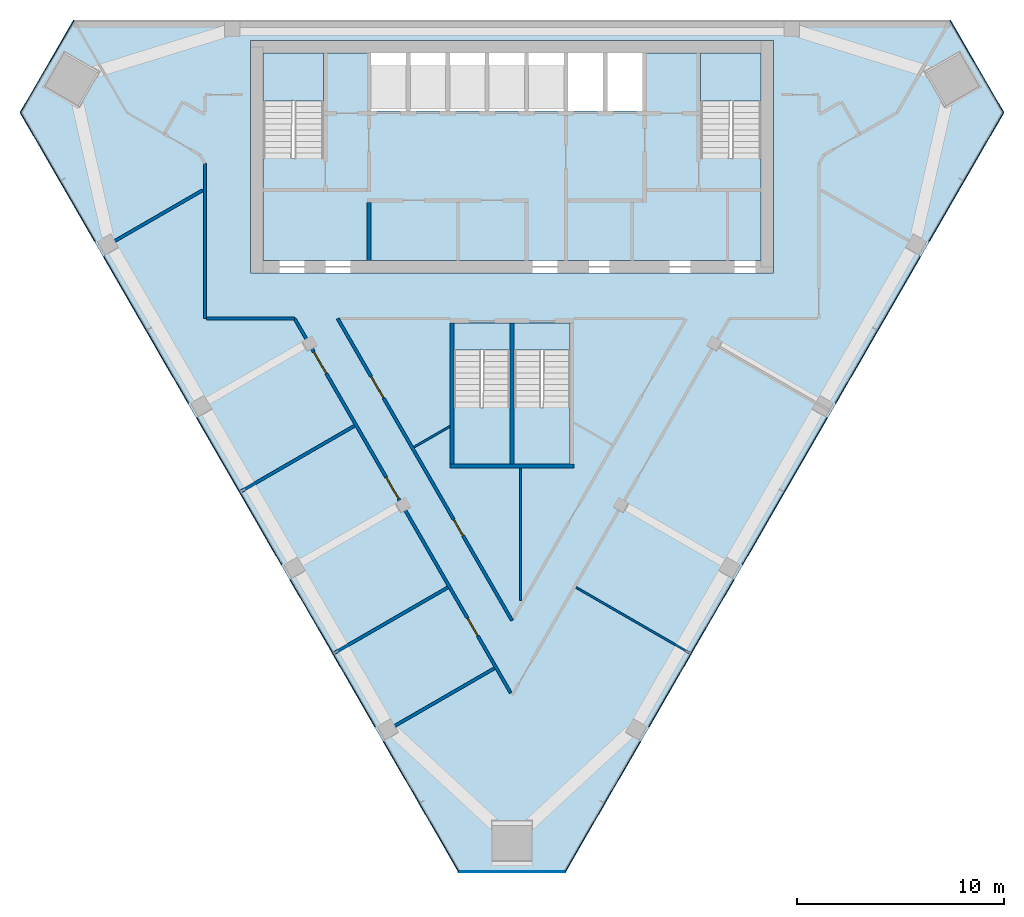
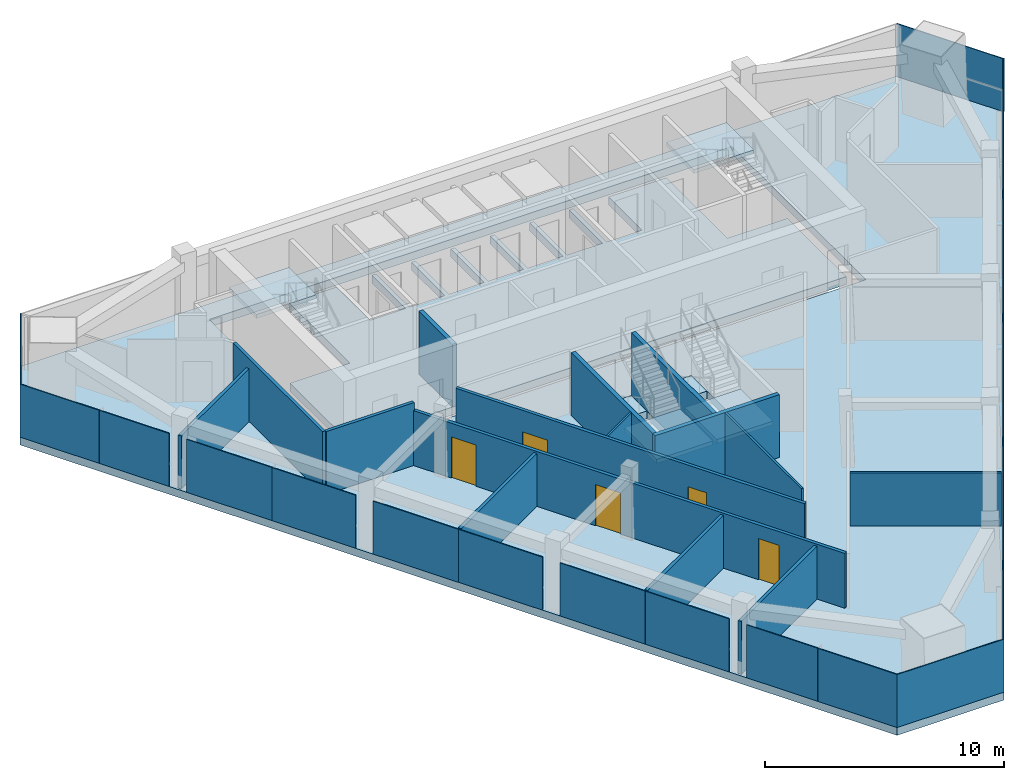
# One storey, part 7 of 12: 23 plates, 15 walls, 8 slabs, 5 doors, 5 openings, 9 elements without a shape of their own.
"""IFC4 building model written with IfcOpenShell, lengths in metres."""

from ifc_helpers import new_model, si_unit, direction, frame, frame_2d, origin, origin_2d, place, context, subcontext, project, spatial, polyline, rectangle, outline, extrude, material, layer, layer_set, type_object, element, fill, aggregate, save


model = new_model("IFC4")

# Units and contexts
model_context = context("Model", 3, precision=1e-05, world=origin(), true_north=direction((0.0, 1.0)))
body_context = subcontext(model_context, "Body", "Model", "MODEL_VIEW")
ifc_project = project(units=[si_unit("LENGTHUNIT", "METRE"), si_unit("AREAUNIT", "SQUARE_METRE"), si_unit("VOLUMEUNIT", "CUBIC_METRE"), si_unit("PLANEANGLEUNIT", "RADIAN"), si_unit("MASSUNIT", "GRAM", prefix="KILO")], contexts=[model_context])

# Site, building, storey
site_placement = place(None, origin())
site = spatial("IfcSite", under=ifc_project, at=site_placement, CompositionType="ELEMENT")
building_placement = place(site_placement, origin())
building = spatial("IfcBuilding", under=site, at=building_placement, Name="Altiplano Prism Tower", CompositionType="ELEMENT")
storey_placement = place(building_placement, frame((0.0, 0.0, 253.60009765625)))
storey = spatial("IfcBuildingStorey", under=building, at=storey_placement, Name="L65", CompositionType="ELEMENT", Elevation=253.60009765625)

# Curtain wall, plate
ifc_material_1 = material(Name="Aluminium and glass", Category="aluminium")
ifc_layer_1 = layer(ifc_material_1, 0.303955078125)
ifc_layer_set_1 = layer_set([ifc_layer_1], Name="Aluminium and glass")
curtain_wall_type = type_object("IfcCurtainWallType", Name="CW2 lounge-band unitised glazing", PredefinedType="NOTDEFINED", material=ifc_layer_set_1)
curtain_wall_1_placement = place(storey_placement, origin())
curtain_wall_1 = element("IfcCurtainWall", 1, at=curtain_wall_1_placement, inside=storey, type_object=curtain_wall_type, Name="CW2 curtain wall north-west chamfer L65", PredefinedType="NOTDEFINED")
ifc_material_2 = material(Name="Clear glass", Category="glass")
ifc_layer_2 = layer(ifc_material_2, 0.0439453125)
ifc_layer_set_2 = layer_set([ifc_layer_2], Name="Clear glass")
plate_type = type_object("IfcPlateType", Name="CW2 insulated glass unit 44", PredefinedType="CURTAIN_PANEL", material=ifc_layer_set_2)
plate_1_placement = place(storey_placement, frame((62.582275390625, 102.7568359375, 0.0), z_axis=(0.0, 0.0, 1.0), x_axis=(-0.500000021221, -0.866025391532, 0.0)))
plate_1 = element("IfcPlate", 2, at=plate_1_placement, type_object=plate_type, Name="CW2 panel", PredefinedType="CURTAIN_PANEL", context=body_context, shape_type="SweptSolid", body=[
    extrude(rectangle(XDim=5.145263671875, YDim=0.0439453125, at=origin_2d()), origin(), (0.0, 0.0, 1.0), 2.699951171875),
])
aggregate(curtain_wall_1, [plate_1])

# Curtain wall, plates
curtain_wall_2_placement = place(storey_placement, origin())
curtain_wall_2 = element("IfcCurtainWall", 3, at=curtain_wall_2_placement, inside=storey, type_object=curtain_wall_type, Name="CW2 curtain wall south-west face L65", PredefinedType="NOTDEFINED")
plate_2_placement = place(storey_placement, frame((62.249267578125, 98.890625, 0.0), z_axis=(0.0, 0.0, 1.0), x_axis=(0.500000002252, -0.866025402484, 0.0)))
plate_2 = element("IfcPlate", 4, at=plate_2_placement, type_object=plate_type, Name="CW2 panel", PredefinedType="CURTAIN_PANEL", context=body_context, shape_type="SweptSolid", body=[
    extrude(rectangle(XDim=3.81396484375, YDim=0.0439453125, at=origin_2d()), origin(), (0.0, 0.0, 1.0), 2.699951171875),
])
plate_3_placement = place(storey_placement, frame((64.0478515625, 95.775634765625, 0.0), z_axis=(0.0, 0.0, 1.0), x_axis=(0.500000002252, -0.866025402484, 0.0)))
plate_3 = element("IfcPlate", 5, at=plate_3_placement, type_object=plate_type, Name="CW2 panel", PredefinedType="CURTAIN_PANEL", context=body_context, shape_type="SweptSolid", body=[
    extrude(rectangle(XDim=3.359375, YDim=0.0439453125, at=origin_2d()), origin(), (0.0, 0.0, 1.0), 2.699951171875),
])
plate_4_placement = place(storey_placement, frame((66.33642578125, 91.811767578125, 0.0), z_axis=(0.0, 0.0, 1.0), x_axis=(0.500000002252, -0.866025402484, 0.0)))
plate_4 = element("IfcPlate", 6, at=plate_4_placement, type_object=plate_type, Name="CW2 panel", PredefinedType="CURTAIN_PANEL", context=body_context, shape_type="SweptSolid", body=[
    extrude(rectangle(XDim=4.114501953125, YDim=0.0439453125, at=origin_2d()), origin(), (0.0, 0.0, 1.0), 2.699951171875),
])
plate_5_placement = place(storey_placement, frame((68.37890625, 88.274169921875, 0.0), z_axis=(0.0, 0.0, 1.0), x_axis=(0.500000002252, -0.866025402484, 0.0)))
plate_5 = element("IfcPlate", 7, at=plate_5_placement, type_object=plate_type, Name="CW2 panel", PredefinedType="CURTAIN_PANEL", context=body_context, shape_type="SweptSolid", body=[
    extrude(rectangle(XDim=4.035400390625, YDim=0.0439453125, at=origin_2d()), origin(), (0.0, 0.0, 1.0), 2.699951171875),
])
plate_6_placement = place(storey_placement, frame((70.83642578125, 84.017578125, 0.0), z_axis=(0.0, 0.0, 1.0), x_axis=(0.500000002252, -0.866025402484, 0.0)))
plate_6 = element("IfcPlate", 8, at=plate_6_placement, type_object=plate_type, Name="CW2 panel", PredefinedType="CURTAIN_PANEL", context=body_context, shape_type="SweptSolid", body=[
    extrude(rectangle(XDim=4.114501953125, YDim=0.0439453125, at=origin_2d()), origin(), (0.0, 0.0, 1.0), 2.699951171875),
])
plate_7_placement = place(storey_placement, frame((72.87890625, 80.47998046875, 0.0), z_axis=(0.0, 0.0, 1.0), x_axis=(0.500000002252, -0.866025402484, 0.0)))
plate_7 = element("IfcPlate", 9, at=plate_7_placement, type_object=plate_type, Name="CW2 panel", PredefinedType="CURTAIN_PANEL", context=body_context, shape_type="SweptSolid", body=[
    extrude(rectangle(XDim=4.035400390625, YDim=0.0439453125, at=origin_2d()), origin(), (0.0, 0.0, 1.0), 2.699951171875),
])
plate_8_placement = place(storey_placement, frame((75.33642578125, 76.223388671875, 0.0), z_axis=(0.0, 0.0, 1.0), x_axis=(0.500000002252, -0.866025402484, 0.0)))
plate_8 = element("IfcPlate", 10, at=plate_8_placement, type_object=plate_type, Name="CW2 panel", PredefinedType="CURTAIN_PANEL", context=body_context, shape_type="SweptSolid", body=[
    extrude(rectangle(XDim=4.114501953125, YDim=0.0439453125, at=origin_2d()), origin(), (0.0, 0.0, 1.0), 2.699951171875),
])
plate_9_placement = place(storey_placement, frame((77.37890625, 72.685791015625, 0.0), z_axis=(0.0, 0.0, 1.0), x_axis=(0.500000002252, -0.866025402484, 0.0)))
plate_9 = element("IfcPlate", 11, at=plate_9_placement, type_object=plate_type, Name="CW2 panel", PredefinedType="CURTAIN_PANEL", context=body_context, shape_type="SweptSolid", body=[
    extrude(rectangle(XDim=4.035400390625, YDim=0.0439453125, at=origin_2d()), origin(), (0.0, 0.0, 1.0), 2.699951171875),
])
plate_10_placement = place(storey_placement, frame((79.667236328125, 68.721923828125, 0.0), z_axis=(0.0, 0.0, 1.0), x_axis=(0.500000002252, -0.866025402484, 0.0)))
plate_10 = element("IfcPlate", 12, at=plate_10_placement, type_object=plate_type, Name="CW2 panel", PredefinedType="CURTAIN_PANEL", context=body_context, shape_type="SweptSolid", body=[
    extrude(rectangle(XDim=3.4384765625, YDim=0.0439453125, at=origin_2d()), origin(), (0.0, 0.0, 1.0), 2.699951171875),
])
plate_11_placement = place(storey_placement, frame((81.4853515625, 65.57275390625, 0.0), z_axis=(0.0, 0.0, 1.0), x_axis=(0.500000002252, -0.866025402484, 0.0)))
plate_11 = element("IfcPlate", 13, at=plate_11_placement, type_object=plate_type, Name="CW2 panel", PredefinedType="CURTAIN_PANEL", context=body_context, shape_type="SweptSolid", body=[
    extrude(rectangle(XDim=3.81396484375, YDim=0.0439453125, at=origin_2d()), origin(), (0.0, 0.0, 1.0), 2.699951171875),
])
aggregate(curtain_wall_2, [plate_2, plate_3, plate_4, plate_5, plate_6, plate_7, plate_8, plate_9, plate_10, plate_11])

# Curtain wall, plate
curtain_wall_3_placement = place(storey_placement, origin())
curtain_wall_3 = element("IfcCurtainWall", 14, at=curtain_wall_3_placement, inside=storey, type_object=curtain_wall_type, Name="CW2 curtain wall south chamfer L65", PredefinedType="NOTDEFINED")
plate_12_placement = place(storey_placement, frame((85.0, 63.927978515625, 0.0), z_axis=(0.0, 0.0, 1.0), x_axis=(1.0, 0.0, 0.0)))
plate_12 = element("IfcPlate", 15, at=plate_12_placement, type_object=plate_type, Name="CW2 panel", PredefinedType="CURTAIN_PANEL", context=body_context, shape_type="SweptSolid", body=[
    extrude(rectangle(XDim=5.145263671875, YDim=0.0439453125, at=origin_2d()), origin(), (0.0, 0.0, 1.0), 2.699951171875),
])
aggregate(curtain_wall_3, [plate_12])

# Curtain wall, plates
curtain_wall_4_placement = place(storey_placement, origin())
curtain_wall_4 = element("IfcCurtainWall", 16, at=curtain_wall_4_placement, inside=storey, type_object=curtain_wall_type, Name="CW2 curtain wall south-east face L65", PredefinedType="NOTDEFINED")
plate_13_placement = place(storey_placement, frame((88.5146484375, 65.57275390625, 0.0), z_axis=(0.0, 0.0, 1.0), x_axis=(0.500000002252, 0.866025402484, 0.0)))
plate_13 = element("IfcPlate", 17, at=plate_13_placement, type_object=plate_type, Name="CW2 panel", PredefinedType="CURTAIN_PANEL", context=body_context, shape_type="SweptSolid", body=[
    extrude(rectangle(XDim=3.81396484375, YDim=0.0439453125, at=origin_2d()), origin(), (0.0, 0.0, 1.0), 2.699951171875),
])
plate_14_placement = place(storey_placement, frame((90.332763671875, 68.721923828125, 0.0), z_axis=(0.0, 0.0, 1.0), x_axis=(0.500000002252, 0.866025402484, 0.0)))
plate_14 = element("IfcPlate", 18, at=plate_14_placement, type_object=plate_type, Name="CW2 panel", PredefinedType="CURTAIN_PANEL", context=body_context, shape_type="SweptSolid", body=[
    extrude(rectangle(XDim=3.4384765625, YDim=0.0439453125, at=origin_2d()), origin(), (0.0, 0.0, 1.0), 2.699951171875),
])
plate_15_placement = place(storey_placement, frame((92.62109375, 72.685791015625, 0.0), z_axis=(0.0, 0.0, 1.0), x_axis=(0.500000002252, 0.866025402484, 0.0)))
plate_15 = element("IfcPlate", 19, at=plate_15_placement, type_object=plate_type, Name="CW2 panel", PredefinedType="CURTAIN_PANEL", context=body_context, shape_type="SweptSolid", body=[
    extrude(rectangle(XDim=4.035400390625, YDim=0.0439453125, at=origin_2d()), origin(), (0.0, 0.0, 1.0), 2.699951171875),
])
plate_16_placement = place(storey_placement, frame((94.66357421875, 76.223388671875, 0.0), z_axis=(0.0, 0.0, 1.0), x_axis=(0.500000002252, 0.866025402484, 0.0)))
plate_16 = element("IfcPlate", 20, at=plate_16_placement, type_object=plate_type, Name="CW2 panel", PredefinedType="CURTAIN_PANEL", context=body_context, shape_type="SweptSolid", body=[
    extrude(rectangle(XDim=4.114501953125, YDim=0.0439453125, at=origin_2d()), origin(), (0.0, 0.0, 1.0), 2.699951171875),
])
plate_17_placement = place(storey_placement, frame((97.12109375, 80.47998046875, 0.0), z_axis=(0.0, 0.0, 1.0), x_axis=(0.500000002252, 0.866025402484, 0.0)))
plate_17 = element("IfcPlate", 21, at=plate_17_placement, type_object=plate_type, Name="CW2 panel", PredefinedType="CURTAIN_PANEL", context=body_context, shape_type="SweptSolid", body=[
    extrude(rectangle(XDim=4.035400390625, YDim=0.0439453125, at=origin_2d()), origin(), (0.0, 0.0, 1.0), 2.699951171875),
])
plate_18_placement = place(storey_placement, frame((99.16357421875, 84.017578125, 0.0), z_axis=(0.0, 0.0, 1.0), x_axis=(0.500000002252, 0.866025402484, 0.0)))
plate_18 = element("IfcPlate", 22, at=plate_18_placement, type_object=plate_type, Name="CW2 panel", PredefinedType="CURTAIN_PANEL", context=body_context, shape_type="SweptSolid", body=[
    extrude(rectangle(XDim=4.114501953125, YDim=0.0439453125, at=origin_2d()), origin(), (0.0, 0.0, 1.0), 2.699951171875),
])
plate_19_placement = place(storey_placement, frame((101.62109375, 88.274169921875, 0.0), z_axis=(0.0, 0.0, 1.0), x_axis=(0.500000002252, 0.866025402484, 0.0)))
plate_19 = element("IfcPlate", 23, at=plate_19_placement, type_object=plate_type, Name="CW2 panel", PredefinedType="CURTAIN_PANEL", context=body_context, shape_type="SweptSolid", body=[
    extrude(rectangle(XDim=4.035400390625, YDim=0.0439453125, at=origin_2d()), origin(), (0.0, 0.0, 1.0), 2.699951171875),
])
plate_20_placement = place(storey_placement, frame((103.66357421875, 91.811767578125, 0.0), z_axis=(0.0, 0.0, 1.0), x_axis=(0.500000002252, 0.866025402484, 0.0)))
plate_20 = element("IfcPlate", 24, at=plate_20_placement, type_object=plate_type, Name="CW2 panel", PredefinedType="CURTAIN_PANEL", context=body_context, shape_type="SweptSolid", body=[
    extrude(rectangle(XDim=4.114501953125, YDim=0.0439453125, at=origin_2d()), origin(), (0.0, 0.0, 1.0), 2.699951171875),
])
plate_21_placement = place(storey_placement, frame((105.9521484375, 95.775634765625, 0.0), z_axis=(0.0, 0.0, 1.0), x_axis=(0.500000002252, 0.866025402484, 0.0)))
plate_21 = element("IfcPlate", 25, at=plate_21_placement, type_object=plate_type, Name="CW2 panel", PredefinedType="CURTAIN_PANEL", context=body_context, shape_type="SweptSolid", body=[
    extrude(rectangle(XDim=3.359375, YDim=0.0439453125, at=origin_2d()), origin(), (0.0, 0.0, 1.0), 2.699951171875),
])
plate_22_placement = place(storey_placement, frame((107.750732421875, 98.890625, 0.0), z_axis=(0.0, 0.0, 1.0), x_axis=(0.500000002252, 0.866025402484, 0.0)))
plate_22 = element("IfcPlate", 26, at=plate_22_placement, type_object=plate_type, Name="CW2 panel", PredefinedType="CURTAIN_PANEL", context=body_context, shape_type="SweptSolid", body=[
    extrude(rectangle(XDim=3.81396484375, YDim=0.0439453125, at=origin_2d()), origin(), (0.0, 0.0, 1.0), 2.699951171875),
])
aggregate(curtain_wall_4, [plate_13, plate_14, plate_15, plate_16, plate_17, plate_18, plate_19, plate_20, plate_21, plate_22])

# Curtain wall, plate
curtain_wall_5_placement = place(storey_placement, origin())
curtain_wall_5 = element("IfcCurtainWall", 27, at=curtain_wall_5_placement, inside=storey, type_object=curtain_wall_type, Name="CW2 curtain wall north-east chamfer L65", PredefinedType="NOTDEFINED")
plate_23_placement = place(storey_placement, frame((107.417724609375, 102.7568359375, 0.0), z_axis=(0.0, 0.0, 1.0), x_axis=(-0.500000021221, 0.866025391532, 0.0)))
plate_23 = element("IfcPlate", 28, at=plate_23_placement, type_object=plate_type, Name="CW2 panel", PredefinedType="CURTAIN_PANEL", context=body_context, shape_type="SweptSolid", body=[
    extrude(rectangle(XDim=5.145263671875, YDim=0.0439453125, at=origin_2d()), origin(), (0.0, 0.0, 1.0), 2.699951171875),
])
aggregate(curtain_wall_5, [plate_23])

# Slabs
ifc_material_3 = material(Name="Concrete C40/50", Category="concrete")
ifc_layer_3 = layer(ifc_material_3, 0.39990234375)
ifc_layer_set_3 = layer_set([ifc_layer_3], Name="Concrete C40/50")
slab_type_1 = type_object("IfcSlabType", Name="Core floor slab 400", PredefinedType="FLOOR", material=ifc_layer_set_3)
slab_1_placement = place(storey_placement, frame((0.0, 0.0, -0.400146484375)))
element("IfcSlab", 29, at=slab_1_placement, inside=storey, type_object=slab_type_1, Name="Core floor slab L65", PredefinedType="FLOOR", context=body_context, shape_type="SweptSolid", body=[
    extrude(outline(polyline([(97.0, 98.31005859375), (94.10009765625, 98.31005859375), (94.10009765625, 103.39990234375), (91.300048828125, 103.39990234375), (91.300048828125, 100.60009765625), (89.60009765625, 100.60009765625), (89.60009765625, 103.39990234375), (89.39990234375, 103.39990234375), (89.39990234375, 100.60009765625), (87.699951171875, 100.60009765625), (87.699951171875, 103.39990234375), (87.5, 103.39990234375), (87.5, 100.60009765625), (85.800048828125, 100.60009765625), (85.800048828125, 103.39990234375), (85.60009765625, 103.39990234375), (85.60009765625, 100.60009765625), (83.89990234375, 100.60009765625), (83.89990234375, 103.39990234375), (83.699951171875, 103.39990234375), (83.699951171875, 100.60009765625), (82.0, 100.60009765625), (82.0, 103.39990234375), (81.800048828125, 103.39990234375), (81.800048828125, 100.60009765625), (80.10009765625, 100.60009765625), (80.10009765625, 103.39990234375), (79.89990234375, 103.39990234375), (79.89990234375, 100.60009765625), (78.199951171875, 100.60009765625), (78.199951171875, 103.39990234375), (75.89990234375, 103.39990234375), (75.89990234375, 98.31005859375), (73.0, 98.31005859375), (73.0, 93.39990234375), (97.0, 93.39990234375), (97.0, 98.31005859375)])), origin(), (0.0, 0.0, 1.0), 0.400146484375),
])
slab_2_placement = place(storey_placement, frame((0.0, 0.0, -0.400146484375)))
element("IfcSlab", 30, at=slab_2_placement, inside=storey, type_object=slab_type_1, Name="Stair 3A landing slab L65", PredefinedType="FLOOR", context=body_context, shape_type="SweptSolid", body=[
    extrude(outline(polyline([(82.199951171875, 89.096923828125), (84.89990234375, 89.096923828125), (84.89990234375, 90.39990234375), (82.199951171875, 90.39990234375), (82.199951171875, 89.096923828125)])), origin(), (0.0, 0.0, 1.0), 0.400146484375),
])
slab_3_placement = place(storey_placement, frame((0.0, 0.0, -0.400146484375)))
element("IfcSlab", 31, at=slab_3_placement, inside=storey, type_object=slab_type_1, Name="Stair 3B landing slab L65", PredefinedType="FLOOR", context=body_context, shape_type="SweptSolid", body=[
    extrude(outline(polyline([(85.10009765625, 89.096923828125), (87.800048828125, 89.096923828125), (87.800048828125, 90.39990234375), (85.10009765625, 90.39990234375), (85.10009765625, 89.096923828125)])), origin(), (0.0, 0.0, 1.0), 0.400146484375),
])
ifc_layer_4 = layer(ifc_material_3, 0.39990234375)
ifc_layer_set_4 = layer_set([ifc_layer_4], Name="Concrete C40/50")
slab_type_2 = type_object("IfcSlabType", Name="Post-tensioned flat slab 400", PredefinedType="FLOOR", material=ifc_layer_set_4)
slab_4_placement = place(storey_placement, frame((0.0, 0.0, -0.400146484375)))
element("IfcSlab", 32, at=slab_4_placement, inside=storey, type_object=slab_type_2, Name="Floor slab L65", PredefinedType="FLOOR", context=body_context, shape_type="SweptSolid", body=[
    extrude(outline(polyline([(82.42236328125, 63.906005859375), (61.2744140625, 100.535400390625), (63.851806640625, 105.0), (106.148193359375, 105.0), (108.7255859375, 100.535400390625), (87.57763671875, 63.906005859375), (82.42236328125, 63.906005859375)]), holes=[polyline([(72.39990234375, 104.0), (72.39990234375, 92.800048828125), (97.60009765625, 92.800048828125), (97.60009765625, 104.0), (72.39990234375, 104.0)]), polyline([(84.89990234375, 90.39990234375), (82.199951171875, 90.39990234375), (82.199951171875, 83.60009765625), (84.89990234375, 83.60009765625), (84.89990234375, 90.39990234375)]), polyline([(87.800048828125, 83.60009765625), (87.800048828125, 90.39990234375), (85.10009765625, 90.39990234375), (85.10009765625, 83.60009765625), (87.800048828125, 83.60009765625)])]), origin(), (0.0, 0.0, 1.0), 0.400146484375),
])

# Stair, slab
stair_type_1 = type_object("IfcStairType", Name="Exit stair 1400", PredefinedType="HALF_TURN_STAIR", material=ifc_material_3)
stair_1_placement = place(storey_placement, origin())
stair_1 = element("IfcStair", 33, at=stair_1_placement, inside=storey, type_object=stair_type_1, Name="L65 Exit Stair 1", PredefinedType="HALF_TURN_STAIR")
ifc_layer_5 = layer(ifc_material_3, 0.199951171875)
ifc_layer_set_5 = layer_set([ifc_layer_5], Name="Concrete C40/50")
slab_type_3 = type_object("IfcSlabType", Name="Stair landing 200", PredefinedType="LANDING", material=ifc_layer_set_5)
slab_5_placement = place(storey_placement, frame((0.0, 0.0, 1.599853515625)))
slab_5 = element("IfcSlab", 34, at=slab_5_placement, type_object=slab_type_3, Name="ST1 landing 1", PredefinedType="LANDING", context=body_context, shape_type="SweptSolid", body=[
    extrude(outline(polyline([(75.89990234375, 101.096923828125), (75.89990234375, 103.39990234375), (73.0, 103.39990234375), (73.0, 101.096923828125), (75.89990234375, 101.096923828125)])), origin(), (0.0, 0.0, 1.0), 0.199951171875),
])
aggregate(stair_1, [slab_5])

stair_2_placement = place(storey_placement, origin())
stair_2 = element("IfcStair", 35, at=stair_2_placement, inside=storey, type_object=stair_type_1, Name="L65 Exit Stair 2", PredefinedType="HALF_TURN_STAIR")
slab_6_placement = place(storey_placement, frame((0.0, 0.0, 1.599853515625)))
slab_6 = element("IfcSlab", 36, at=slab_6_placement, type_object=slab_type_3, Name="ST2 landing 1", PredefinedType="LANDING", context=body_context, shape_type="SweptSolid", body=[
    extrude(outline(polyline([(97.0, 101.096923828125), (97.0, 103.39990234375), (94.10009765625, 103.39990234375), (94.10009765625, 101.096923828125), (97.0, 101.096923828125)])), origin(), (0.0, 0.0, 1.0), 0.199951171875),
])
aggregate(stair_2, [slab_6])

stair_type_2 = type_object("IfcStairType", Name="Exit stair 1300", PredefinedType="HALF_TURN_STAIR", material=ifc_material_3)
stair_3_placement = place(storey_placement, origin())
stair_3 = element("IfcStair", 37, at=stair_3_placement, inside=storey, type_object=stair_type_2, Name="L65 Exit Stair 3A", PredefinedType="HALF_TURN_STAIR")
slab_7_placement = place(storey_placement, frame((0.0, 0.0, 1.599853515625)))
slab_7 = element("IfcSlab", 38, at=slab_7_placement, type_object=slab_type_3, Name="ST3A landing 1", PredefinedType="LANDING", context=body_context, shape_type="SweptSolid", body=[
    extrude(outline(polyline([(82.199951171875, 86.302978515625), (82.199951171875, 83.60009765625), (84.89990234375, 83.60009765625), (84.89990234375, 86.302978515625), (82.199951171875, 86.302978515625)])), origin(), (0.0, 0.0, 1.0), 0.199951171875),
])
aggregate(stair_3, [slab_7])

stair_4_placement = place(storey_placement, origin())
stair_4 = element("IfcStair", 39, at=stair_4_placement, inside=storey, type_object=stair_type_2, Name="L65 Exit Stair 3B", PredefinedType="HALF_TURN_STAIR")
slab_8_placement = place(storey_placement, frame((0.0, 0.0, 1.599853515625)))
slab_8 = element("IfcSlab", 40, at=slab_8_placement, type_object=slab_type_3, Name="ST3B landing 1", PredefinedType="LANDING", context=body_context, shape_type="SweptSolid", body=[
    extrude(outline(polyline([(85.10009765625, 86.302978515625), (85.10009765625, 83.60009765625), (87.800048828125, 83.60009765625), (87.800048828125, 86.302978515625), (85.10009765625, 86.302978515625)])), origin(), (0.0, 0.0, 1.0), 0.199951171875),
])
aggregate(stair_4, [slab_8])

# Walls
ifc_material_4 = material(Name="Plasterboard on steel stud", Category="steel")
ifc_layer_6 = layer(ifc_material_4, 0.10009765625)
ifc_layer_set_6 = layer_set([ifc_layer_6], Name="Plasterboard on steel stud")
wall_type_1 = type_object("IfcWallType", Name="Partition 100 wet", PredefinedType="PARTITIONING", material=ifc_layer_set_6)
wall_1_placement = place(storey_placement, frame((85.41845703125, 83.39990234375, 0.0), z_axis=(0.0, 0.0, 1.0), x_axis=(0.0, -1.0, 0.0)))
element("IfcWall", 41, at=wall_1_placement, inside=storey, type_object=wall_type_1, Name="Partition P03 L65 023", PredefinedType="PARTITIONING", context=body_context, shape_type="SweptSolid", body=[
    extrude(rectangle(XDim=6.39697265625, YDim=0.10009765625, at=frame_2d((3.198486328125, 0.0))), origin(), (0.0, 0.0, 1.0), 3.199951171875),
])
wall_2_placement = place(storey_placement, frame((82.0, 85.39990234375, 0.0), z_axis=(0.0, 0.0, 1.0), x_axis=(-0.865995076291, -0.500052525081, 0.0)))
element("IfcWall", 42, at=wall_2_placement, inside=storey, type_object=wall_type_1, Name="Partition P03 L65 025", PredefinedType="PARTITIONING", context=body_context, shape_type="SweptSolid", body=[
    extrude(rectangle(XDim=2.006103515625, YDim=0.10009765625, at=frame_2d((1.0029296875, 0.0))), origin(), (0.0, 0.0, 1.0), 3.199951171875),
])
wall_3_placement = place(storey_placement, frame((93.56494140625, 74.4765625, 0.0), z_axis=(0.0, 0.0, 1.0), x_axis=(-0.866032601554, 0.49998753289, 0.0)))
element("IfcWall", 43, at=wall_3_placement, inside=storey, type_object=wall_type_1, Name="Partition P03 L65 032", PredefinedType="PARTITIONING", context=body_context, shape_type="SweptSolid", body=[
    extrude(rectangle(XDim=6.324951171875, YDim=0.10009765625, at=frame_2d((3.16259765625, 0.0))), origin(), (0.0, 0.0, 1.0), 2.699951171875),
])

# Wall, openings, doors
ifc_layer_7 = layer(ifc_material_4, 0.14990234375)
ifc_layer_set_7 = layer_set([ifc_layer_7], Name="Plasterboard on steel stud")
wall_type_2 = type_object("IfcWallType", Name="Partition 150 corridor", PredefinedType="PARTITIONING", material=ifc_layer_set_7)
wall_4_placement = place(storey_placement, frame((85.0, 76.04150390625, 0.0), z_axis=(0.0, 0.0, 1.0), x_axis=(-0.500004887791, 0.866022581799, 0.0)))
wall_4 = element("IfcWall", 44, at=wall_4_placement, inside=storey, type_object=wall_type_2, Name="Partition P06 L65 002", PredefinedType="PARTITIONING", context=body_context, shape_type="SweptSolid", body=[
    extrude(rectangle(XDim=16.810791015625, YDim=0.14990234375, at=frame_2d((8.4052734375, 0.0))), origin(), (0.0, 0.0, 1.0), 3.199951171875),
])
opening_1_placement = place(wall_4_placement, frame((4.721923828125, 0.0, 0.0)))
opening_1 = element("IfcOpeningElement", 45, at=opening_1_placement, cuts=wall_4, Name="Opening D2112", PredefinedType="OPENING", context=body_context, shape_type="SweptSolid", body=[
    extrude(rectangle(XDim=0.89990234375, YDim=2.10009765625, at=frame_2d((0.449951171875, 1.050048828125))), frame((0.0, 0.08544921875, 0.0), z_axis=(0.0, -1.0, 0.0), x_axis=(1.0, 0.0, 0.0)), (0.0, 0.0, 1.0), 0.1708984375),
])
opening_2_placement = place(wall_4_placement, frame((12.385009765625, 0.0, 0.0)))
opening_2 = element("IfcOpeningElement", 46, at=opening_2_placement, cuts=wall_4, Name="Opening D2123", PredefinedType="OPENING", context=body_context, shape_type="SweptSolid", body=[
    extrude(rectangle(XDim=1.199951171875, YDim=2.10009765625, at=frame_2d((0.60009765625, 1.050048828125))), frame((0.0, 0.08544921875, 0.0), z_axis=(0.0, -1.0, 0.0), x_axis=(1.0, 0.0, 0.0)), (0.0, 0.0, 1.0), 0.1708984375),
])
ifc_material_5 = material(Name="Timber", Category="wood")
door_type_1 = type_object("IfcDoorType", Name="Shared room door 1200 x 2100", OperationType="NOTDEFINED", PredefinedType="NOTDEFINED", material=ifc_material_5)
door_1_placement = place(opening_2_placement, origin())
door_1 = element("IfcDoor", 47, at=door_1_placement, inside=storey, type_object=door_type_1, Name="Door D2123", OperationType="SINGLE_SWING_LEFT", OverallHeight=2.10009765625, OverallWidth=1.199951171875, PredefinedType="NOTDEFINED", context=body_context, shape_type="SweptSolid", body=[
    extrude(rectangle(XDim=1.199951171875, YDim=2.10009765625, at=frame_2d((0.60009765625, 1.050048828125))), frame((0.0, 0.02490234375, 0.0), z_axis=(0.0, -1.0, 0.0), x_axis=(1.0, 0.0, 0.0)), (0.0, 0.0, 1.0), 0.050048828125),
])
fill(opening_2, door_1)
door_type_2 = type_object("IfcDoorType", Name="Toilet door 900 x 2100", OperationType="NOTDEFINED", PredefinedType="NOTDEFINED", material=ifc_material_5)
door_2_placement = place(opening_1_placement, origin())
door_2 = element("IfcDoor", 48, at=door_2_placement, inside=storey, type_object=door_type_2, Name="Door D2112", OperationType="SINGLE_SWING_LEFT", OverallHeight=2.10009765625, OverallWidth=0.89990234375, PredefinedType="NOTDEFINED", context=body_context, shape_type="SweptSolid", body=[
    extrude(rectangle(XDim=0.89990234375, YDim=2.10009765625, at=frame_2d((0.449951171875, 1.050048828125))), frame((0.0, 0.02490234375, 0.0), z_axis=(0.0, -1.0, 0.0), x_axis=(1.0, 0.0, 0.0)), (0.0, 0.0, 1.0), 0.050048828125),
])
fill(opening_1, door_2)

# Walls
wall_5_placement = place(storey_placement, frame((70.199951171875, 98.07568359375, 0.0), z_axis=(0.0, 0.0, 1.0), x_axis=(0.0, -1.0, 0.0)))
element("IfcWall", 49, at=wall_5_placement, inside=storey, type_object=wall_type_2, Name="Partition P06 L65 005", PredefinedType="PARTITIONING", context=body_context, shape_type="SweptSolid", body=[
    extrude(rectangle(XDim=7.4755859375, YDim=0.14990234375, at=frame_2d((3.73779296875, 0.0))), origin(), (0.0, 0.0, 1.0), 3.199951171875),
])
wall_6_placement = place(storey_placement, frame((70.27490234375, 90.60009765625, 0.0), z_axis=(0.0, 0.0, 1.0), x_axis=(1.0, 0.0, 0.0)))
element("IfcWall", 50, at=wall_6_placement, inside=storey, type_object=wall_type_2, Name="Partition P06 L65 006", PredefinedType="PARTITIONING", context=body_context, shape_type="SweptSolid", body=[
    extrude(rectangle(XDim=4.2412109375, YDim=0.14990234375, at=frame_2d((2.12060546875, 0.0))), origin(), (0.0, 0.0, 1.0), 3.199951171875),
])

# Wall, openings, doors
wall_7_placement = place(storey_placement, frame((74.51611328125, 90.60009765625, 0.0), z_axis=(0.0, 0.0, 1.0), x_axis=(0.500000001338, -0.866025403012, 0.0)))
wall_7 = element("IfcWall", 51, at=wall_7_placement, inside=storey, type_object=wall_type_2, Name="Partition P06 L65 007", PredefinedType="PARTITIONING", context=body_context, shape_type="SweptSolid", body=[
    extrude(rectangle(XDim=20.837890625, YDim=0.14990234375, at=frame_2d((10.4189453125, 0.0))), origin(), (0.0, 0.0, 1.0), 2.7998046875),
])
opening_3_placement = place(wall_7_placement, frame((1.862060546875, 0.0, 0.0)))
opening_3 = element("IfcOpeningElement", 52, at=opening_3_placement, cuts=wall_7, Name="Opening D2114", PredefinedType="OPENING", context=body_context, shape_type="SweptSolid", body=[
    extrude(rectangle(XDim=1.199951171875, YDim=2.10009765625, at=frame_2d((0.60009765625, 1.050048828125))), frame((0.0, 0.08544921875, 0.0), z_axis=(0.0, -1.0, 0.0), x_axis=(1.0, 0.0, 0.0)), (0.0, 0.0, 1.0), 0.1708984375),
])
opening_4_placement = place(wall_7_placement, frame((8.822998046875, 0.0, 0.0)))
opening_4 = element("IfcOpeningElement", 53, at=opening_4_placement, cuts=wall_7, Name="Opening D2115", PredefinedType="OPENING", context=body_context, shape_type="SweptSolid", body=[
    extrude(rectangle(XDim=1.199951171875, YDim=2.10009765625, at=frame_2d((0.60009765625, 1.050048828125))), frame((0.0, 0.08544921875, 0.0), z_axis=(0.0, -1.0, 0.0), x_axis=(1.0, 0.0, 0.0)), (0.0, 0.0, 1.0), 0.1708984375),
])
opening_5_placement = place(wall_7_placement, frame((16.673095703125, 0.0, 0.0)))
opening_5 = element("IfcOpeningElement", 54, at=opening_5_placement, cuts=wall_7, Name="Opening D2116", PredefinedType="OPENING", context=body_context, shape_type="SweptSolid", body=[
    extrude(rectangle(XDim=1.0, YDim=2.10009765625, at=frame_2d((0.5, 1.050048828125))), frame((0.0, 0.08544921875, 0.0), z_axis=(0.0, -1.0, 0.0), x_axis=(1.0, 0.0, 0.0)), (0.0, 0.0, 1.0), 0.1708984375),
])
door_type_3 = type_object("IfcDoorType", Name="Room door 1000 x 2100", OperationType="NOTDEFINED", PredefinedType="NOTDEFINED", material=ifc_material_5)
door_3_placement = place(opening_5_placement, origin())
door_3 = element("IfcDoor", 55, at=door_3_placement, inside=storey, type_object=door_type_3, Name="Door D2116", OperationType="SINGLE_SWING_LEFT", OverallHeight=2.10009765625, OverallWidth=1.0, PredefinedType="NOTDEFINED", context=body_context, shape_type="SweptSolid", body=[
    extrude(rectangle(XDim=1.0, YDim=2.10009765625, at=frame_2d((0.5, 1.050048828125))), frame((0.0, 0.02490234375, 0.0), z_axis=(0.0, -1.0, 0.0), x_axis=(1.0, 0.0, 0.0)), (0.0, 0.0, 1.0), 0.050048828125),
])
fill(opening_5, door_3)
door_4_placement = place(opening_3_placement, origin())
door_4 = element("IfcDoor", 56, at=door_4_placement, inside=storey, type_object=door_type_1, Name="Door D2114", OperationType="SINGLE_SWING_RIGHT", OverallHeight=2.10009765625, OverallWidth=1.199951171875, PredefinedType="NOTDEFINED", context=body_context, shape_type="SweptSolid", body=[
    extrude(rectangle(XDim=1.199951171875, YDim=2.10009765625, at=frame_2d((0.60009765625, 1.050048828125))), frame((0.0, 0.02490234375, 0.0), z_axis=(0.0, -1.0, 0.0), x_axis=(1.0, 0.0, 0.0)), (0.0, 0.0, 1.0), 0.050048828125),
])
fill(opening_3, door_4)
door_5_placement = place(opening_4_placement, origin())
door_5 = element("IfcDoor", 57, at=door_5_placement, inside=storey, type_object=door_type_1, Name="Door D2115", OperationType="SINGLE_SWING_LEFT", OverallHeight=2.10009765625, OverallWidth=1.199951171875, PredefinedType="NOTDEFINED", context=body_context, shape_type="SweptSolid", body=[
    extrude(rectangle(XDim=1.199951171875, YDim=2.10009765625, at=frame_2d((0.60009765625, 1.050048828125))), frame((0.0, 0.02490234375, 0.0), z_axis=(0.0, -1.0, 0.0), x_axis=(1.0, 0.0, 0.0)), (0.0, 0.0, 1.0), 0.050048828125),
])
fill(opening_4, door_5)

# Walls
ifc_layer_8 = layer(ifc_material_4, 0.14990234375)
ifc_layer_set_8 = layer_set([ifc_layer_8], Name="Plasterboard on steel stud")
wall_type_3 = type_object("IfcWallType", Name="Partition 150 party", PredefinedType="PARTITIONING", material=ifc_layer_set_8)
wall_8_placement = place(storey_placement, frame((65.18505859375, 93.962158203125, 0.0), z_axis=(0.0, 0.0, 1.0), x_axis=(0.866029015679, 0.499993743963, 0.0)))
element("IfcWall", 58, at=wall_8_placement, inside=storey, type_object=wall_type_3, Name="Partition P01 L65 026", PredefinedType="PARTITIONING", context=body_context, shape_type="SweptSolid", body=[
    extrude(rectangle(XDim=5.66064453125, YDim=0.14990234375, at=frame_2d((2.830322265625, 0.0))), origin(), (0.0, 0.0, 1.0), 2.699951171875),
])
for number, where, z_axis, x_axis, name in (
    (59, (71.93505859375, 82.270751953125, 0.0), (0.0, 0.0, 1.0), (0.866015887322, 0.500016482634, 0.0), "Partition P01 L65 029"),
    (60, (76.43505859375, 74.4765625, 0.0), (0.0, 0.0, 1.0), (0.866032601554, 0.49998753289, 0.0), "Partition P01 L65 030"),
    (61, (78.68505859375, 70.579345703125, 0.0), (0.0, 0.0, 1.0), (0.866015887322, 0.500016482634, 0.0), "Partition P01 L65 031"),
):
    element("IfcWall", number, at=place(storey_placement, frame(where, z_axis=z_axis, x_axis=x_axis)), inside=storey, type_object=wall_type_3, Name=name, PredefinedType="PARTITIONING", context=body_context, shape_type="SweptSolid", body=[
        extrude(rectangle(XDim=6.324951171875, YDim=0.14990234375, at=frame_2d((3.16259765625, 0.0))), origin(), (0.0, 0.0, 1.0), 2.699951171875),
    ])
ifc_material_6 = material(Name="Concrete C60/75", Category="concrete")
ifc_layer_9 = layer(ifc_material_6, 0.199951171875)
ifc_layer_set_9 = layer_set([ifc_layer_9], Name="Concrete C60/75")
wall_type_4 = type_object("IfcWallType", Name="Stair wall 200", PredefinedType="SOLIDWALL", material=ifc_layer_set_9)
wall_9_placement = place(storey_placement, frame((82.0, 83.5, 0.0), z_axis=(0.0, 0.0, 1.0), x_axis=(1.0, 0.0, 0.0)))
element("IfcWall", 62, at=wall_9_placement, inside=storey, type_object=wall_type_4, Name="Stair 3 wall south L65", PredefinedType="SOLIDWALL", context=body_context, shape_type="SweptSolid", body=[
    extrude(rectangle(XDim=6.0, YDim=0.199951171875, at=frame_2d((3.0, 0.0))), origin(), (0.0, 0.0, 1.0), 3.199951171875),
])
for number, where, z_axis, x_axis, name in (
    (63, (82.10009765625, 83.60009765625, 0.0), (0.0, 0.0, 1.0), (0.0, 1.0, 0.0), "Stair 3 wall west L65"),
    (64, (85.0, 83.60009765625, 0.0), (0.0, 0.0, 1.0), (0.0, 1.0, 0.0), "Stair 3 wall divider L65"),
):
    element("IfcWall", number, at=place(storey_placement, frame(where, z_axis=z_axis, x_axis=x_axis)), inside=storey, type_object=wall_type_4, Name=name, PredefinedType="SOLIDWALL", context=body_context, shape_type="SweptSolid", body=[
        extrude(rectangle(XDim=6.7998046875, YDim=0.199951171875, at=frame_2d((3.39990234375, 0.0))), origin(), (0.0, 0.0, 1.0), 3.199951171875),
    ])
ifc_layer_10 = layer(ifc_material_6, 0.199951171875)
ifc_layer_set_10 = layer_set([ifc_layer_10], Name="Concrete C60/75")
wall_type_5 = type_object("IfcWallType", Name="Vestibule wall 200", PredefinedType="PARTITIONING", material=ifc_layer_set_10)
wall_10_placement = place(storey_placement, frame((78.10009765625, 93.39990234375, 0.0), z_axis=(0.0, 0.0, 1.0), x_axis=(0.0, 1.0, 0.0)))
element("IfcWall", 65, at=wall_10_placement, inside=storey, type_object=wall_type_5, Name="Vestibule wall L65", PredefinedType="PARTITIONING", context=body_context, shape_type="SweptSolid", body=[
    extrude(rectangle(XDim=2.800048828125, YDim=0.199951171875, at=frame_2d((1.39990234375, 0.0))), origin(), (0.0, 0.0, 1.0), 3.199951171875),
])

save(model, "model.ifc")
